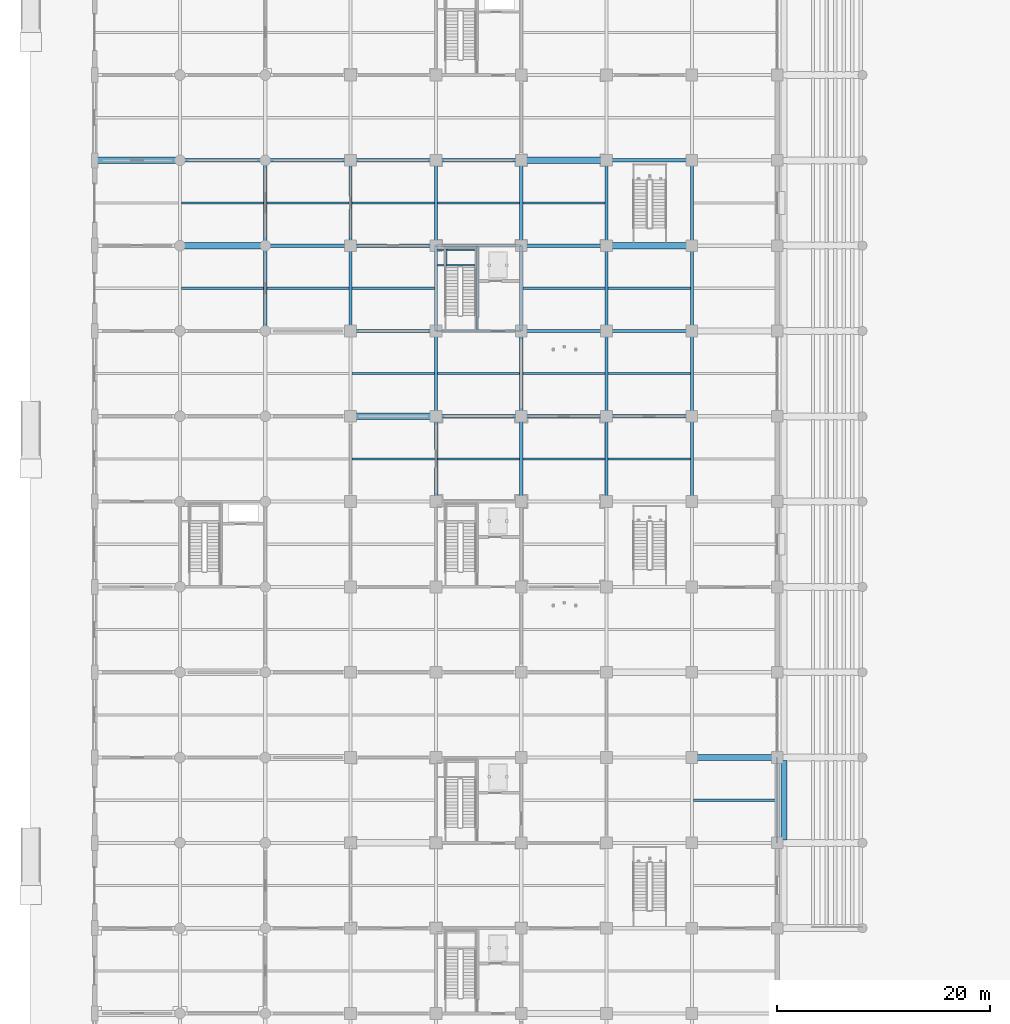
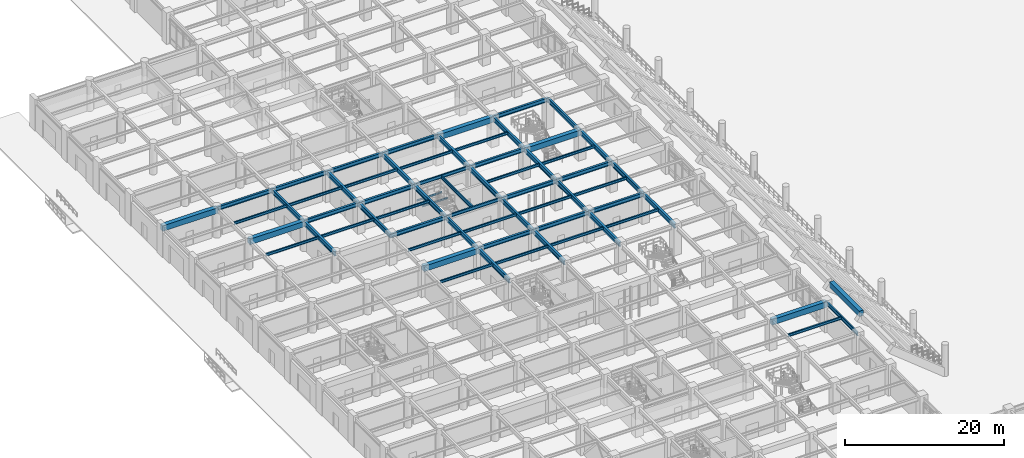
# One storey, part 27 of 125: 67 beams.
"""IFC4 building model written with IfcOpenShell, lengths in metres."""

from ifc_helpers import new_model, si_unit, direction, frame, origin, origin_2d, place, context, subcontext, project, spatial, rectangle, i_section, extrude, material, material_profile, profile_set, type_object, element, save


model = new_model("IFC4")

# Units and contexts
model_context = context("Model", 3, precision=1e-05, world=origin(), true_north=direction((0.0, 1.0)))
body_context = subcontext(model_context, "Body", "Model", "MODEL_VIEW")
ifc_project = project(units=[si_unit("LENGTHUNIT", "METRE"), si_unit("AREAUNIT", "SQUARE_METRE"), si_unit("VOLUMEUNIT", "CUBIC_METRE"), si_unit("PLANEANGLEUNIT", "RADIAN"), si_unit("MASSUNIT", "GRAM", prefix="KILO")], contexts=[model_context])

# Site, building, storey
site_placement = place(None, origin())
site = spatial("IfcSite", under=ifc_project, at=site_placement, CompositionType="ELEMENT")
building_placement = place(site_placement, origin())
building = spatial("IfcBuilding", under=site, at=building_placement, Name="Haebicheon Civic Stadium", CompositionType="ELEMENT")
storey_placement = place(building_placement, origin())
storey = spatial("IfcBuildingStorey", under=building, at=storey_placement, Name="L01", CompositionType="ELEMENT", Elevation=0.0)

# Beams
ifc_material_1 = material(Name="Steel SM355 (S355)", Category="steel")
ifc_material_profile_1 = material_profile(ifc_material_1, i_section(OverallWidth=0.199951171875, OverallDepth=0.5, WebThickness=0.010009765625, FlangeThickness=0.01611328125, at=origin_2d()), Name="H-500x200x10x16")
ifc_profile_set_1 = profile_set([ifc_material_profile_1], Name="Steel SM355 (S355)")
beam_type_1 = type_object("IfcBeamType", Name="BM-ST-H500", PredefinedType="BEAM", material=ifc_profile_set_1)
for number, where, z_axis, x_axis, name in (
    (1, (32.0, 104.0, 4.22998046875), (1.0, 0.0, 0.0), (0.0, 1.0, 0.0), "L01 beam P/5-6"),
    (2, (32.0, 112.0, 4.22998046875), (1.0, 0.0, 0.0), (0.0, 1.0, 0.0), "L01 beam Q/5-6"),
):
    element("IfcBeam", number, at=place(storey_placement, frame(where, z_axis=z_axis, x_axis=x_axis)), inside=storey, type_object=beam_type_1, material=ifc_profile_set_1, Name=name, PredefinedType="BEAM", context=body_context, shape_type="SweptSolid", body=[
        extrude(i_section(OverallWidth=0.199951171875, OverallDepth=0.5, WebThickness=0.010009765625, FlangeThickness=0.01611328125, at=origin_2d()), origin(), (0.0, 0.0, 1.0), 8.0),
    ])
beam_1_placement = place(storey_placement, frame((35.8798828125, 104.10009765625, 4.22998046875), z_axis=(0.0, 1.0, 0.0), x_axis=(-1.0, 0.0, 0.0)))
element("IfcBeam", 3, at=beam_1_placement, inside=storey, type_object=beam_type_1, material=ifc_profile_set_1, Name="L01 KC-04 core dividing wall support beam", PredefinedType="BEAM", context=body_context, shape_type="SweptSolid", body=[
    extrude(i_section(OverallWidth=0.199951171875, OverallDepth=0.5, WebThickness=0.010009765625, FlangeThickness=0.01611328125, at=origin_2d()), origin(), (0.0, 0.0, 1.0), 7.7998046875),
])
ifc_material_2 = material(Name="Steel SM355 (S355)", Category="steel")
ifc_material_profile_2 = material_profile(ifc_material_2, i_section(OverallWidth=0.300048828125, OverallDepth=0.60009765625, WebThickness=0.011962890625, FlangeThickness=0.02001953125, at=origin_2d()), Name="H-600x300x12x20")
ifc_profile_set_2 = profile_set([ifc_material_profile_2], Name="Steel SM355 (S355)")
beam_type_2 = type_object("IfcBeamType", Name="BM-ST-H600A", PredefinedType="BEAM", material=ifc_profile_set_2)
for number, where, z_axis, x_axis, name in (
    (4, (8.0, 120.0, 4.219970703125), (1.0, 0.0, 0.0), (0.0, 1.0, 0.0), "L01 beam R/2-3"),
    (5, (16.0, 112.0, 4.219970703125), (1.0, 0.0, 0.0), (0.0, 1.0, 0.0), "L01 beam Q/3-4"),
    (6, (16.0, 120.0, 4.219970703125), (1.0, 0.0, 0.0), (0.0, 1.0, 0.0), "L01 beam R/3-4"),
    (7, (24.0, 104.0, 4.179931640625), (1.0, 0.0, 0.0), (0.0, 1.0, 0.0), "L01 beam P/4-5"),
    (8, (24.0, 112.0, 4.179931640625), (1.0, 0.0, 0.0), (0.0, 1.0, 0.0), "L01 beam Q/4-5"),
    (9, (24.0, 120.0, 4.179931640625), (1.0, 0.0, 0.0), (0.0, 1.0, 0.0), "L01 beam R/4-5"),
    (10, (32.0, 96.0, 4.179931640625), (1.0, 0.0, 0.0), (0.0, 1.0, 0.0), "L01 beam N/5-6"),
    (11, (32.0, 120.0, 4.179931640625), (1.0, 0.0, 0.0), (0.0, 1.0, 0.0), "L01 beam R/5-6"),
    (12, (40.0, 96.0, 4.179931640625), (1.0, 0.0, 0.0), (0.0, 1.0, 0.0), "L01 beam N/6-7"),
    (13, (40.0, 104.0, 4.179931640625), (1.0, 0.0, 0.0), (0.0, 1.0, 0.0), "L01 beam P/6-7"),
    (14, (40.0, 112.0, 4.179931640625), (1.0, 0.0, 0.0), (0.0, 1.0, 0.0), "L01 beam Q/6-7"),
    (15, (48.0, 96.0, 4.179931640625), (1.0, 0.0, 0.0), (0.0, 1.0, 0.0), "L01 beam N/7-8"),
    (16, (48.0, 104.0, 4.179931640625), (1.0, 0.0, 0.0), (0.0, 1.0, 0.0), "L01 beam P/7-8"),
    (17, (48.0, 120.0, 4.179931640625), (1.0, 0.0, 0.0), (0.0, 1.0, 0.0), "L01 beam R/7-8"),
):
    element("IfcBeam", number, at=place(storey_placement, frame(where, z_axis=z_axis, x_axis=x_axis)), inside=storey, type_object=beam_type_2, material=ifc_profile_set_2, Name=name, PredefinedType="BEAM", context=body_context, shape_type="SweptSolid", body=[
        extrude(i_section(OverallWidth=0.300048828125, OverallDepth=0.60009765625, WebThickness=0.011962890625, FlangeThickness=0.02001953125, at=origin_2d()), origin(), (0.0, 0.0, 1.0), 8.0),
    ])
ifc_material_3 = material(Name="Steel SM490", Category="steel")
ifc_material_profile_3 = material_profile(ifc_material_3, i_section(OverallWidth=0.300048828125, OverallDepth=0.699951171875, WebThickness=0.012939453125, FlangeThickness=0.02392578125, at=origin_2d()), Name="H-700x300x13x24")
ifc_profile_set_3 = profile_set([ifc_material_profile_3], Name="Steel SM490")
beam_type_3 = type_object("IfcBeamType", Name="BM-ST-H700", PredefinedType="BEAM", material=ifc_profile_set_3)
for number, where, z_axis, x_axis, name in (
    (18, (16.0, 104.0, 4.169921875), (0.0, 1.0, 0.0), (-1.0, 0.0, 0.0), "L01 girder 3/P-Q"),
    (19, (16.0, 112.0, 4.169921875), (0.0, 1.0, 0.0), (-1.0, 0.0, 0.0), "L01 girder 3/Q-R"),
    (20, (24.0, 104.0, 4.1298828125), (0.0, 1.0, 0.0), (-1.0, 0.0, 0.0), "L01 girder 4/P-Q"),
    (21, (24.0, 112.0, 4.1298828125), (0.0, 1.0, 0.0), (-1.0, 0.0, 0.0), "L01 girder 4/Q-R"),
    (22, (32.0, 88.0, 4.1298828125), (0.0, 1.0, 0.0), (-1.0, 0.0, 0.0), "L01 girder 5/M-N"),
    (23, (32.0, 96.0, 4.1298828125), (0.0, 1.0, 0.0), (-1.0, 0.0, 0.0), "L01 girder 5/N-P"),
    (24, (32.0, 104.0, 4.1298828125), (0.0, 1.0, 0.0), (-1.0, 0.0, 0.0), "L01 girder 5/P-Q"),
    (25, (32.0, 112.0, 4.1298828125), (0.0, 1.0, 0.0), (-1.0, 0.0, 0.0), "L01 girder 5/Q-R"),
    (26, (40.0, 88.0, 4.1298828125), (0.0, 1.0, 0.0), (-1.0, 0.0, 0.0), "L01 girder 6/M-N"),
    (27, (40.0, 96.0, 4.1298828125), (0.0, 1.0, 0.0), (-1.0, 0.0, 0.0), "L01 girder 6/N-P"),
    (28, (40.0, 104.0, 4.1298828125), (0.0, 1.0, 0.0), (-1.0, 0.0, 0.0), "L01 girder 6/P-Q"),
    (29, (40.0, 112.0, 4.1298828125), (0.0, 1.0, 0.0), (-1.0, 0.0, 0.0), "L01 girder 6/Q-R"),
    (30, (48.0, 88.0, 4.1298828125), (0.0, 1.0, 0.0), (-1.0, 0.0, 0.0), "L01 girder 7/M-N"),
    (31, (48.0, 96.0, 4.1298828125), (0.0, 1.0, 0.0), (-1.0, 0.0, 0.0), "L01 girder 7/N-P"),
    (32, (48.0, 104.0, 4.1298828125), (0.0, 1.0, 0.0), (-1.0, 0.0, 0.0), "L01 girder 7/P-Q"),
    (33, (48.0, 112.0, 4.1298828125), (0.0, 1.0, 0.0), (-1.0, 0.0, 0.0), "L01 girder 7/Q-R"),
    (34, (56.0, 88.0, 4.1298828125), (0.0, 1.0, 0.0), (-1.0, 0.0, 0.0), "L01 girder 8/M-N"),
    (35, (56.0, 96.0, 4.1298828125), (0.0, 1.0, 0.0), (-1.0, 0.0, 0.0), "L01 girder 8/N-P"),
    (36, (56.0, 104.0, 4.1298828125), (0.0, 1.0, 0.0), (-1.0, 0.0, 0.0), "L01 girder 8/P-Q"),
    (37, (56.0, 112.0, 4.1298828125), (0.0, 1.0, 0.0), (-1.0, 0.0, 0.0), "L01 girder 8/Q-R"),
):
    element("IfcBeam", number, at=place(storey_placement, frame(where, z_axis=z_axis, x_axis=x_axis)), inside=storey, type_object=beam_type_3, material=ifc_profile_set_3, Name=name, PredefinedType="BEAM", context=body_context, shape_type="SweptSolid", body=[
        extrude(i_section(OverallWidth=0.300048828125, OverallDepth=0.699951171875, WebThickness=0.012939453125, FlangeThickness=0.02392578125, at=origin_2d()), origin(), (0.0, 0.0, 1.0), 8.0),
    ])
ifc_material_4 = material(Name="Precast concrete C40/50", Category="concrete")
ifc_material_profile_4 = material_profile(ifc_material_4, rectangle(XDim=0.60009765625, YDim=0.85009765625, at=origin_2d()), Name="PC-TB-600x850")
ifc_profile_set_4 = profile_set([ifc_material_profile_4], Name="Precast concrete C40/50")
beam_type_4 = type_object("IfcBeamType", Name="BM-TB-600x850", PredefinedType="T_BEAM", material=ifc_profile_set_4)
for number, where, z_axis, x_axis, name in (
    (38, (0.0, 120.0, 4.094970703125), (1.0, 0.0, 0.0), (0.0, 1.0, 0.0), "L01 beam R/1-2"),
    (39, (8.0, 112.0, 4.094970703125), (1.0, 0.0, 0.0), (0.0, 1.0, 0.0), "L01 beam Q/2-3"),
    (40, (24.0, 96.0, 4.054931640625), (1.0, 0.0, 0.0), (0.0, 1.0, 0.0), "L01 beam N/4-5"),
    (41, (40.0, 120.0, 4.054931640625), (1.0, 0.0, 0.0), (0.0, 1.0, 0.0), "L01 beam R/6-7"),
    (42, (48.0, 112.0, 4.054931640625), (1.0, 0.0, 0.0), (0.0, 1.0, 0.0), "L01 beam Q/7-8"),
    (43, (56.0, 64.0, 4.054931640625), (1.0, 0.0, 0.0), (0.0, 1.0, 0.0), "L01 beam J/8-9"),
):
    element("IfcBeam", number, at=place(storey_placement, frame(where, z_axis=z_axis, x_axis=x_axis)), inside=storey, type_object=beam_type_4, material=ifc_profile_set_4, Name=name, PredefinedType="T_BEAM", context=body_context, shape_type="SweptSolid", body=[
        extrude(rectangle(XDim=0.60009765625, YDim=0.85009765625, at=origin_2d()), origin(), (0.0, 0.0, 1.0), 8.0),
    ])
beam_2_placement = place(storey_placement, frame((64.639892578125, 56.280029296875, 6.93505859375), z_axis=(0.0, 1.0, 0.0), x_axis=(-1.0, 0.0, 0.0)))
element("IfcBeam", 44, at=beam_2_placement, inside=storey, type_object=beam_type_4, material=ifc_profile_set_4, Name="TIER-W-L upper tier bench carrier beam 2", PredefinedType="T_BEAM", context=body_context, shape_type="SweptSolid", body=[
    extrude(rectangle(XDim=0.60009765625, YDim=0.85009765625, at=origin_2d()), origin(), (0.0, 0.0, 1.0), 7.43994140625),
])
ifc_material_5 = material(Name="Steel SM355 (S355)", Category="steel")
ifc_material_profile_5 = material_profile(ifc_material_5, i_section(OverallWidth=0.125, OverallDepth=0.25, WebThickness=0.006103515625, FlangeThickness=0.009033203125, at=origin_2d()), Name="H-250x125x6x9")
ifc_profile_set_5 = profile_set([ifc_material_profile_5], Name="Steel SM355 (S355)")
beam_type_5 = type_object("IfcBeamType", Name="JST-ST-H250", PredefinedType="JOIST", material=ifc_profile_set_5)
for number, where, z_axis, x_axis, name in (
    (45, (32.080078125, 110.169921875, 2.072021484375), (1.0, 0.0, 0.0), (0.0, 1.0, 0.0), "KC-04 L01 stair half-landing front trimmer beam"),
    (46, (32.080078125, 111.6201171875, 2.072021484375), (1.0, 0.0, 0.0), (0.0, 1.0, 0.0), "KC-04 L01 stair half-landing rear trimmer beam"),
):
    element("IfcBeam", number, at=place(storey_placement, frame(where, z_axis=z_axis, x_axis=x_axis)), inside=storey, type_object=beam_type_5, material=ifc_profile_set_5, Name=name, PredefinedType="JOIST", context=body_context, shape_type="SweptSolid", body=[
        extrude(i_section(OverallWidth=0.125, OverallDepth=0.25, WebThickness=0.006103515625, FlangeThickness=0.009033203125, at=origin_2d()), origin(), (0.0, 0.0, 1.0), 3.719970703125),
    ])
beam_3_placement = place(storey_placement, frame((32.9599609375, 110.169921875, 2.072021484375), z_axis=(0.0, 1.0, 0.0), x_axis=(-1.0, 0.0, 0.0)))
element("IfcBeam", 47, at=beam_3_placement, inside=storey, type_object=beam_type_5, material=ifc_profile_set_5, Name="KC-04 L01 stair half-landing transverse tie beam", PredefinedType="JOIST", context=body_context, shape_type="SweptSolid", body=[
    extrude(i_section(OverallWidth=0.125, OverallDepth=0.25, WebThickness=0.006103515625, FlangeThickness=0.009033203125, at=origin_2d()), origin(), (0.0, 0.0, 1.0), 1.4501953125),
])
ifc_material_6 = material(Name="Steel SM355 (S355)", Category="steel")
ifc_material_profile_6 = material_profile(ifc_material_6, i_section(OverallWidth=0.199951171875, OverallDepth=0.39990234375, WebThickness=0.008056640625, FlangeThickness=0.012939453125, at=origin_2d()), Name="H-400x200x8x13")
ifc_profile_set_6 = profile_set([ifc_material_profile_6], Name="Steel SM355 (S355)")
beam_type_6 = type_object("IfcBeamType", Name="JST-ST-H400", PredefinedType="JOIST", material=ifc_profile_set_6)
for number, where, z_axis, x_axis, name in (
    (48, (8.14990234375, 108.0, 4.320068359375), (1.0, 0.0, 0.0), (0.0, 1.0, 0.0), "L01 secondary joist 01-13"),
    (49, (8.14990234375, 116.0, 4.320068359375), (1.0, 0.0, 0.0), (0.0, 1.0, 0.0), "L01 secondary joist 01-14"),
    (50, (16.14990234375, 108.0, 4.320068359375), (1.0, 0.0, 0.0), (0.0, 1.0, 0.0), "L01 secondary joist 02-13"),
    (51, (16.14990234375, 116.0, 4.320068359375), (1.0, 0.0, 0.0), (0.0, 1.0, 0.0), "L01 secondary joist 02-14"),
    (52, (24.14990234375, 92.0, 4.280029296875), (1.0, 0.0, 0.0), (0.0, 1.0, 0.0), "L01 secondary joist 03-11"),
    (53, (24.14990234375, 100.0, 4.280029296875), (1.0, 0.0, 0.0), (0.0, 1.0, 0.0), "L01 secondary joist 03-12"),
    (54, (24.14990234375, 108.0, 4.280029296875), (1.0, 0.0, 0.0), (0.0, 1.0, 0.0), "L01 secondary joist 03-13"),
    (55, (24.14990234375, 116.0, 4.280029296875), (1.0, 0.0, 0.0), (0.0, 1.0, 0.0), "L01 secondary joist 03-14"),
    (56, (32.14990234375, 92.0, 4.280029296875), (1.0, 0.0, 0.0), (0.0, 1.0, 0.0), "L01 secondary joist 04-11"),
    (57, (32.14990234375, 100.0, 4.280029296875), (1.0, 0.0, 0.0), (0.0, 1.0, 0.0), "L01 secondary joist 04-12"),
    (58, (32.14990234375, 116.0, 4.280029296875), (1.0, 0.0, 0.0), (0.0, 1.0, 0.0), "L01 secondary joist 04-14"),
    (59, (40.14990234375, 92.0, 4.280029296875), (1.0, 0.0, 0.0), (0.0, 1.0, 0.0), "L01 secondary joist 05-11"),
    (60, (40.14990234375, 100.0, 4.280029296875), (1.0, 0.0, 0.0), (0.0, 1.0, 0.0), "L01 secondary joist 05-12"),
    (61, (40.14990234375, 108.0, 4.280029296875), (1.0, 0.0, 0.0), (0.0, 1.0, 0.0), "L01 secondary joist 05-13"),
    (62, (40.14990234375, 116.0, 4.280029296875), (1.0, 0.0, 0.0), (0.0, 1.0, 0.0), "L01 secondary joist 05-14"),
    (63, (48.14990234375, 92.0, 4.280029296875), (1.0, 0.0, 0.0), (0.0, 1.0, 0.0), "L01 secondary joist 06-11"),
    (64, (48.14990234375, 100.0, 4.280029296875), (1.0, 0.0, 0.0), (0.0, 1.0, 0.0), "L01 secondary joist 06-12"),
    (65, (48.14990234375, 108.0, 4.280029296875), (1.0, 0.0, 0.0), (0.0, 1.0, 0.0), "L01 secondary joist 06-13"),
):
    element("IfcBeam", number, at=place(storey_placement, frame(where, z_axis=z_axis, x_axis=x_axis)), inside=storey, type_object=beam_type_6, material=ifc_profile_set_6, Name=name, PredefinedType="JOIST", context=body_context, shape_type="SweptSolid", body=[
        extrude(i_section(OverallWidth=0.199951171875, OverallDepth=0.39990234375, WebThickness=0.008056640625, FlangeThickness=0.012939453125, at=origin_2d()), origin(), (0.0, 0.0, 1.0), 7.7001953125),
    ])
beam_4_placement = place(storey_placement, frame((56.14990234375, 60.0, 4.280029296875), z_axis=(1.0, 0.0, 0.0), x_axis=(0.0, 1.0, 0.0)))
element("IfcBeam", 66, at=beam_4_placement, inside=storey, type_object=beam_type_6, material=ifc_profile_set_6, Name="L01 secondary joist 07-07", PredefinedType="JOIST", context=body_context, shape_type="SweptSolid", body=[
    extrude(i_section(OverallWidth=0.199951171875, OverallDepth=0.39990234375, WebThickness=0.008056640625, FlangeThickness=0.012939453125, at=origin_2d()), origin(), (0.0, 0.0, 1.0), 7.75),
])
ifc_material_7 = material(Name="Steel SM355 (S355)", Category="steel")
ifc_material_profile_7 = material_profile(ifc_material_7, i_section(OverallWidth=0.199951171875, OverallDepth=0.60009765625, WebThickness=0.010986328125, FlangeThickness=0.01708984375, at=origin_2d()), Name="H-600x200x11x17")
ifc_profile_set_7 = profile_set([ifc_material_profile_7], Name="Steel SM355 (S355)")
beam_type_7 = type_object("IfcBeamType", Name="SPD-ST-H600B", PredefinedType="SPANDREL", material=ifc_profile_set_7)
beam_5_placement = place(storey_placement, frame((64.0, 56.0, 4.179931640625), z_axis=(0.0, 1.0, 0.0), x_axis=(-1.0, 0.0, 0.0)))
element("IfcBeam", 67, at=beam_5_placement, inside=storey, type_object=beam_type_7, material=ifc_profile_set_7, Name="L01 girder 9/H-J", PredefinedType="SPANDREL", context=body_context, shape_type="SweptSolid", body=[
    extrude(i_section(OverallWidth=0.199951171875, OverallDepth=0.60009765625, WebThickness=0.010986328125, FlangeThickness=0.01708984375, at=origin_2d()), origin(), (0.0, 0.0, 1.0), 8.0),
])

save(model, "model.ifc")
